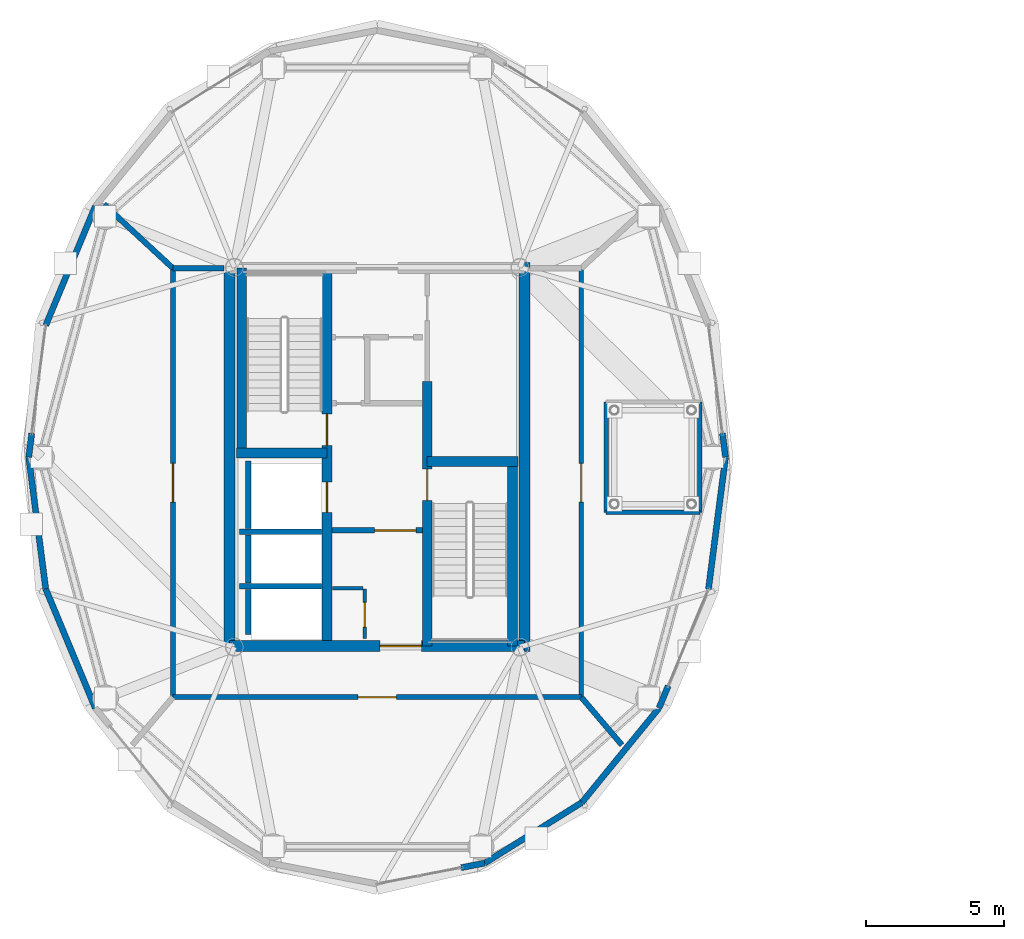
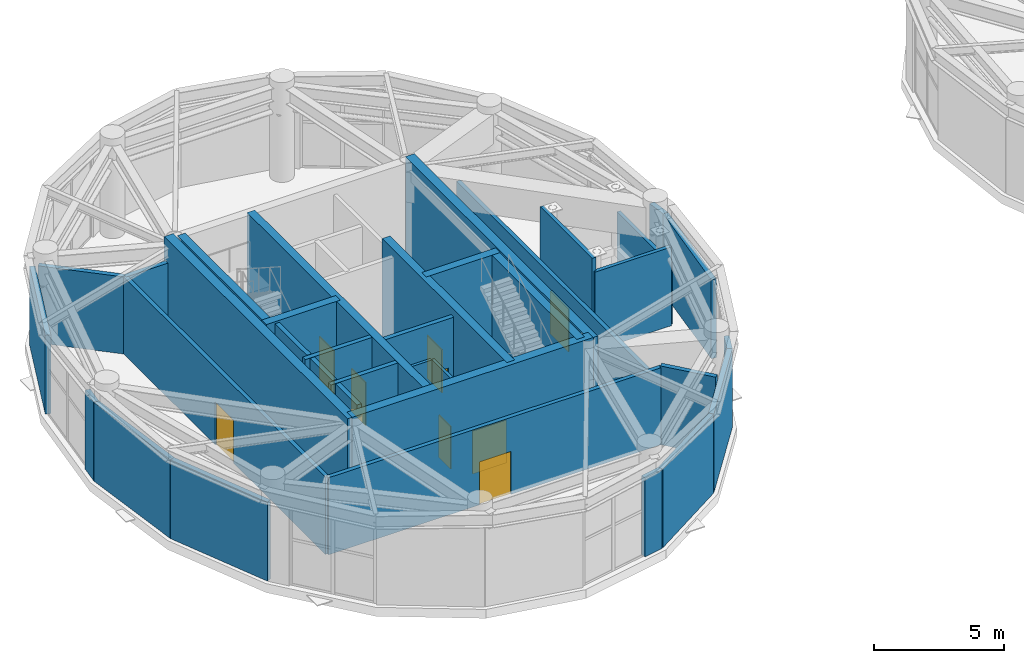
# One storey, part 23 of 28: 36 walls, 9 doors, 9 openings.
"""IFC4 building model written with IfcOpenShell, lengths in metres."""

from ifc_helpers import new_model, si_unit, direction, frame, frame_2d, origin, place, context, subcontext, project, spatial, rectangle, extrude, source, transform, mapped, material, layer, layer_set, type_object, element, fill, save


model = new_model("IFC4")

# Units and contexts
model_context = context("Model", 3, precision=1e-05, world=origin(), true_north=direction((0.0, 1.0)))
body_context = subcontext(model_context, "Body", "Model", "MODEL_VIEW")
ifc_project = project(units=[si_unit("LENGTHUNIT", "METRE"), si_unit("AREAUNIT", "SQUARE_METRE"), si_unit("VOLUMEUNIT", "CUBIC_METRE"), si_unit("PLANEANGLEUNIT", "RADIAN"), si_unit("MASSUNIT", "GRAM", prefix="KILO")], contexts=[model_context])

# Site, building, storey
site_placement = place(None, origin())
site = spatial("IfcSite", under=ifc_project, at=site_placement, CompositionType="ELEMENT")
building_placement = place(site_placement, origin())
building = spatial("IfcBuilding", under=site, at=building_placement, Name="Cununo Teusaquillo Station Towers", CompositionType="ELEMENT")
storey_placement = place(building_placement, frame((0.0, 0.0, 235.64990234375)))
storey = spatial("IfcBuildingStorey", under=building, at=storey_placement, Name="L75", CompositionType="ELEMENT", Elevation=235.64990234375)

# Walls
ifc_material_1 = material(Name="Concrete C50/60", Category="concrete")
ifc_layer_1 = layer(ifc_material_1, 0.199951171875)
ifc_layer_set_1 = layer_set([ifc_layer_1], Name="Concrete C50/60")
wall_type_1 = type_object("IfcWallType", Name="WL-CORE-200", PredefinedType="SHEAR", material=ifc_layer_set_1)
wall_1_placement = place(storey_placement, frame((11.52001953125, 21.800048828125, 0.0), z_axis=(0.0, 0.0, 1.0), x_axis=(1.0, 0.0, 0.0)))
element("IfcWall", 1, at=wall_1_placement, inside=storey, type_object=wall_type_1, Name="L75 Tower A Firefighting Lift Shaft South Shear Wall", PredefinedType="SHEAR", context=body_context, shape_type="SweptSolid", body=[
    extrude(rectangle(XDim=2.969970703125, YDim=0.199951171875, at=frame_2d((1.48486328125, 0.0))), origin(), (0.0, 0.0, 1.0), 4.68017578125),
])
wall_2_placement = place(storey_placement, frame((11.820068359375, 21.919921875, 0.0), z_axis=(0.0, 0.0, 1.0), x_axis=(0.0, 1.0, 0.0)))
element("IfcWall", 2, at=wall_2_placement, inside=storey, type_object=wall_type_1, Name="L75 Tower A Firefighting Lift Shaft Rear Shear Wall", PredefinedType="SHEAR", context=body_context, shape_type="SweptSolid", body=[
    extrude(rectangle(XDim=2.440185546875, YDim=0.199951171875, at=frame_2d((1.22021484375, 0.0))), origin(), (0.0, 0.0, 1.0), 4.68017578125),
])
wall_3_placement = place(storey_placement, frame((11.52001953125, 19.824951171875, 0.0), z_axis=(0.0, 0.0, 1.0), x_axis=(1.0, 0.0, 0.0)))
element("IfcWall", 3, at=wall_3_placement, inside=storey, type_object=wall_type_1, Name="L75 Tower A High-Rise Lift Hoistway Divider Shear Wall", PredefinedType="SHEAR", context=body_context, shape_type="SweptSolid", body=[
    extrude(rectangle(XDim=2.969970703125, YDim=0.199951171875, at=frame_2d((1.48486328125, 0.0))), origin(), (0.0, 0.0, 1.0), 4.68017578125),
])
wall_4_placement = place(storey_placement, frame((11.820068359375, 19.945068359375, 0.0), z_axis=(0.0, 0.0, 1.0), x_axis=(0.0, 1.0, 0.0)))
element("IfcWall", 4, at=wall_4_placement, inside=storey, type_object=wall_type_1, Name="L75 Tower A High-Rise Lift 2 Shaft Rear Shear Wall", PredefinedType="SHEAR", context=body_context, shape_type="SweptSolid", body=[
    extrude(rectangle(XDim=1.73486328125, YDim=0.199951171875, at=frame_2d((0.867431640625, 0.0))), origin(), (0.0, 0.0, 1.0), 4.68017578125),
])
wall_5_placement = place(storey_placement, frame((11.820068359375, 18.070068359375, 0.0), z_axis=(0.0, 0.0, 1.0), x_axis=(0.0, 1.0, 0.0)))
element("IfcWall", 5, at=wall_5_placement, inside=storey, type_object=wall_type_1, Name="L75 Tower A High-Rise Lift 1 Shaft Rear Shear Wall", PredefinedType="SHEAR", context=body_context, shape_type="SweptSolid", body=[
    extrude(rectangle(XDim=1.635009765625, YDim=0.199951171875, at=frame_2d((0.8173828125, 0.0))), origin(), (0.0, 0.0, 1.0), 4.68017578125),
])

# Wall, openings, doors
ifc_material_2 = material(Name="Concrete C50/60", Category="concrete")
ifc_layer_2 = layer(ifc_material_2, 0.35009765625)
ifc_layer_set_2 = layer_set([ifc_layer_2], Name="Concrete C50/60")
wall_type_2 = type_object("IfcWallType", Name="WL-CORE-350", PredefinedType="SHEAR", material=ifc_layer_set_2)
wall_6_placement = place(storey_placement, frame((14.68505859375, 17.64990234375, 0.0), z_axis=(0.0, 0.0, 1.0), x_axis=(0.0, 1.0, 0.0)))
wall_6 = element("IfcWall", 6, at=wall_6_placement, inside=storey, type_object=wall_type_2, Name="L75 Tower A Core Shear Wall IW", PredefinedType="SHEAR", context=body_context, shape_type="SweptSolid", body=[
    extrude(rectangle(XDim=13.7001953125, YDim=0.35009765625, at=frame_2d((6.85009765625, 0.0))), origin(), (0.0, 0.0, 1.0), 4.68017578125),
])
shared_shape_1 = source(origin(), body_context, "Body", "SweptSolid", [
    extrude(rectangle(XDim=1.10009765625, YDim=2.014892578125, at=frame_2d((0.550048828125, 1.00732421875))), frame((0.0, 0.18505859375, 0.0), z_axis=(0.0, -1.0, 0.0), x_axis=(1.0, 0.0, 0.0)), (0.0, 0.0, 1.0), 0.3701171875),
])
opening_1_placement = place(wall_6_placement, frame((4.85009765625, 0.0, 0.0)))
opening_1 = element("IfcOpeningElement", 7, at=opening_1_placement, cuts=wall_6, Name="Opening LD-01", PredefinedType="OPENING", context=body_context, shape_type="MappedRepresentation", body=[
    mapped(shared_shape_1, transform((0.0, 0.0, 0.0), x_axis=(1.0, 0.0, 0.0), y_axis=(0.0, 1.0, 0.0), z_axis=(0.0, 0.0, 1.0), scale=1.0)),
])
shared_shape_2 = source(origin(), body_context, "Body", "SweptSolid", [
    extrude(rectangle(XDim=1.14990234375, YDim=2.02001953125, at=frame_2d((0.574951171875, 1.010009765625))), frame((0.0, 0.18505859375, 0.0), z_axis=(0.0, -1.0, 0.0), x_axis=(1.0, 0.0, 0.0)), (0.0, 0.0, 1.0), 0.3701171875),
])
opening_2_placement = place(wall_6_placement, frame((7.27001953125, 0.0, 0.0)))
opening_2 = element("IfcOpeningElement", 8, at=opening_2_placement, cuts=wall_6, Name="Opening D-ST1", PredefinedType="OPENING", context=body_context, shape_type="MappedRepresentation", body=[
    mapped(shared_shape_2, transform((0.0, 0.0, 0.0), x_axis=(1.0, 0.0, 0.0), y_axis=(0.0, 1.0, 0.0), z_axis=(0.0, 0.0, 1.0), scale=1.0)),
])
ifc_material_3 = material(Name="Galvanised fire-rated hollow steel door assembly", Category="steel")
door_type_1 = type_object("IfcDoorType", Name="DR-LIFT-1100", OperationType="SLIDING_TO_LEFT", PredefinedType="DOOR", material=ifc_material_3)
shared_shape_3 = source(origin(), body_context, "Body", "SweptSolid", [
    extrude(rectangle(XDim=1.10009765625, YDim=2.014892578125, at=frame_2d((0.550048828125, 1.00732421875))), frame((0.0, 0.02490234375, 0.0), z_axis=(0.0, -1.0, 0.0), x_axis=(1.0, 0.0, 0.0)), (0.0, 0.0, 1.0), 0.050048828125),
])
door_1_placement = place(opening_1_placement, origin())
door_1 = element("IfcDoor", 9, at=door_1_placement, inside=storey, type_object=door_type_1, Name="L75 Lift FL-T1 Sliding Landing Door", OperationType="SLIDING_TO_RIGHT", OverallHeight=2.014892578125, OverallWidth=1.10009765625, PredefinedType="DOOR", context=body_context, shape_type="MappedRepresentation", body=[
    mapped(shared_shape_3, transform((0.0, 0.0, 0.0), x_axis=(1.0, 0.0, 0.0), y_axis=(0.0, 1.0, 0.0), z_axis=(0.0, 0.0, 1.0), scale=1.0)),
])
fill(opening_1, door_1)
ifc_material_4 = material(Name="Galvanised fire-rated hollow steel door assembly", Category="steel")
door_type_2 = type_object("IfcDoorType", Name="DR-STAIR-1150", OperationType="NOTDEFINED", PredefinedType="DOOR", material=ifc_material_4)
shared_shape_4 = source(origin(), body_context, "Body", "SweptSolid", [
    extrude(rectangle(XDim=1.14990234375, YDim=2.02001953125, at=frame_2d((0.574951171875, 1.010009765625))), frame((0.0, 0.02490234375, 0.0), z_axis=(0.0, -1.0, 0.0), x_axis=(1.0, 0.0, 0.0)), (0.0, 0.0, 1.0), 0.050048828125),
])
door_2_placement = place(opening_2_placement, origin())
door_2 = element("IfcDoor", 10, at=door_2_placement, inside=storey, type_object=door_type_2, Name="L75 Tower A Exit Stair 1 Fire Door", OperationType="SINGLE_SWING_RIGHT", OverallHeight=2.02001953125, OverallWidth=1.14990234375, PredefinedType="DOOR", context=body_context, shape_type="MappedRepresentation", body=[
    mapped(shared_shape_4, transform((0.0, 0.0, 0.0), x_axis=(1.0, 0.0, 0.0), y_axis=(0.0, 1.0, 0.0), z_axis=(0.0, 0.0, 1.0), scale=1.0)),
])
fill(opening_2, door_2)

# Wall, opening, door
wall_7_placement = place(storey_placement, frame((18.31494140625, 17.64990234375, 0.0), z_axis=(0.0, 0.0, 1.0), x_axis=(0.0, 1.0, 0.0)))
wall_7 = element("IfcWall", 11, at=wall_7_placement, inside=storey, type_object=wall_type_2, Name="L75 Tower A Core Shear Wall IE", PredefinedType="SHEAR", context=body_context, shape_type="SweptSolid", body=[
    extrude(rectangle(XDim=9.60009765625, YDim=0.35009765625, at=frame_2d((4.800048828125, 0.0))), origin(), (0.0, 0.0, 1.0), 4.68017578125),
])
opening_3_placement = place(wall_7_placement, frame((5.280029296875, 0.0, 0.0)))
opening_3 = element("IfcOpeningElement", 12, at=opening_3_placement, cuts=wall_7, Name="Opening D-ST1", PredefinedType="OPENING", context=body_context, shape_type="MappedRepresentation", body=[
    mapped(shared_shape_2, transform((0.0, 0.0, 0.0), x_axis=(1.0, 0.0, 0.0), y_axis=(0.0, 1.0, 0.0), z_axis=(0.0, 0.0, 1.0), scale=1.0)),
])
door_3_placement = place(opening_3_placement, origin())
door_3 = element("IfcDoor", 13, at=door_3_placement, inside=storey, type_object=door_type_2, Name="L75 Tower A Exit Stair 2 Fire Door", OperationType="SINGLE_SWING_LEFT", OverallHeight=2.02001953125, OverallWidth=1.14990234375, PredefinedType="DOOR", context=body_context, shape_type="MappedRepresentation", body=[
    mapped(shared_shape_4, transform((0.0, 0.0, 0.0), x_axis=(1.0, 0.0, 0.0), y_axis=(0.0, 1.0, 0.0), z_axis=(0.0, 0.0, 1.0), scale=1.0)),
])
fill(opening_3, door_3)

# Walls
wall_8_placement = place(storey_placement, frame((11.594970703125, 24.655029296875, 0.0), z_axis=(0.0, 0.0, 1.0), x_axis=(0.0, 1.0, 0.0)))
element("IfcWall", 14, at=wall_8_placement, inside=storey, type_object=wall_type_2, Name="L75 Tower A Core Shear Wall ST1W", PredefinedType="SHEAR", context=body_context, shape_type="SweptSolid", body=[
    extrude(rectangle(XDim=6.695068359375, YDim=0.35009765625, at=frame_2d((3.34765625, 0.0))), origin(), (0.0, 0.0, 1.0), 4.68017578125),
])
wall_9_placement = place(storey_placement, frame((11.39990234375, 24.655029296875, 0.0), z_axis=(0.0, 0.0, 1.0), x_axis=(1.0, 0.0, 0.0)))
element("IfcWall", 15, at=wall_9_placement, inside=storey, type_object=wall_type_2, Name="L75 Tower A Core Shear Wall ST1S", PredefinedType="SHEAR", context=body_context, shape_type="SweptSolid", body=[
    extrude(rectangle(XDim=3.28515625, YDim=0.35009765625, at=frame_2d((1.642578125, 0.0))), origin(), (0.0, 0.0, 1.0), 4.68017578125),
])
wall_10_placement = place(storey_placement, frame((21.405029296875, 17.64990234375, 0.0), z_axis=(0.0, 0.0, 1.0), x_axis=(0.0, 1.0, 0.0)))
element("IfcWall", 16, at=wall_10_placement, inside=storey, type_object=wall_type_2, Name="L75 Tower A Core Shear Wall ST2E", PredefinedType="SHEAR", context=body_context, shape_type="SweptSolid", body=[
    extrude(rectangle(XDim=6.695068359375, YDim=0.35009765625, at=frame_2d((3.34765625, 0.0))), origin(), (0.0, 0.0, 1.0), 4.68017578125),
])
wall_11_placement = place(storey_placement, frame((18.31494140625, 24.344970703125, 0.0), z_axis=(0.0, 0.0, 1.0), x_axis=(1.0, 0.0, 0.0)))
element("IfcWall", 17, at=wall_11_placement, inside=storey, type_object=wall_type_2, Name="L75 Tower A Core Shear Wall ST2N", PredefinedType="SHEAR", context=body_context, shape_type="SweptSolid", body=[
    extrude(rectangle(XDim=3.28515625, YDim=0.35009765625, at=frame_2d((1.642578125, 0.0))), origin(), (0.0, 0.0, 1.0), 4.68017578125),
])
ifc_material_5 = material(Name="Concrete C50/60", Category="concrete")
ifc_layer_3 = layer(ifc_material_5, 0.39990234375)
ifc_layer_set_3 = layer_set([ifc_layer_3], Name="Concrete C50/60")
wall_type_3 = type_object("IfcWallType", Name="WL-CORE-400", PredefinedType="SHEAR", material=ifc_layer_set_3)
for number, where, z_axis, x_axis, name in (
    (18, (11.14990234375, 17.449951171875, 0.0), (0.0, 0.0, 1.0), (0.0, 1.0, 0.0), "L75 Tower A Core Shear Wall W"),
    (19, (21.85009765625, 17.449951171875, 0.0), (0.0, 0.0, 1.0), (0.0, 1.0, 0.0), "L75 Tower A Core Shear Wall E"),
):
    element("IfcWall", number, at=place(storey_placement, frame(where, z_axis=z_axis, x_axis=x_axis)), inside=storey, type_object=wall_type_3, Name=name, PredefinedType="SHEAR", context=body_context, shape_type="SweptSolid", body=[
        extrude(rectangle(XDim=14.10009765625, YDim=0.39990234375, at=frame_2d((7.050048828125, 0.0))), origin(), (0.0, 0.0, 1.0), 4.68017578125),
    ])

# Wall, opening, door
wall_12_placement = place(storey_placement, frame((11.14990234375, 17.64990234375, 0.0), z_axis=(0.0, 0.0, 1.0), x_axis=(1.0, 0.0, 0.0)))
wall_12 = element("IfcWall", 20, at=wall_12_placement, inside=storey, type_object=wall_type_3, Name="L75 Tower A Core Shear Wall S", PredefinedType="SHEAR", context=body_context, shape_type="SweptSolid", body=[
    extrude(rectangle(XDim=10.7001953125, YDim=0.39990234375, at=frame_2d((5.35009765625, 0.0))), origin(), (0.0, 0.0, 1.0), 4.68017578125),
])
shared_shape_5 = source(origin(), body_context, "Body", "SweptSolid", [
    extrude(rectangle(XDim=1.5, YDim=2.02001953125, at=frame_2d((0.75, 1.010009765625))), frame((0.0, 0.2099609375, 0.0), z_axis=(0.0, -1.0, 0.0), x_axis=(1.0, 0.0, 0.0)), (0.0, 0.0, 1.0), 0.419921875),
])
opening_4_placement = place(wall_12_placement, frame((5.449951171875, 0.0, 0.0)))
opening_4 = element("IfcOpeningElement", 21, at=opening_4_placement, cuts=wall_12, Name="Opening D-LB1", PredefinedType="OPENING", context=body_context, shape_type="MappedRepresentation", body=[
    mapped(shared_shape_5, transform((0.0, 0.0, 0.0), x_axis=(1.0, 0.0, 0.0), y_axis=(0.0, 1.0, 0.0), z_axis=(0.0, 0.0, 1.0), scale=1.0)),
])
ifc_material_6 = material(Name="Galvanised fire-rated hollow steel door assembly", Category="steel")
door_type_3 = type_object("IfcDoorType", Name="DR-LOBBY-1500", OperationType="DOUBLE_DOOR_SINGLE_SWING", PredefinedType="DOOR", material=ifc_material_6)
shared_shape_6 = source(origin(), body_context, "Body", "SweptSolid", [
    extrude(rectangle(XDim=1.5, YDim=2.02001953125, at=frame_2d((0.75, 1.010009765625))), frame((0.0, 0.02490234375, 0.0), z_axis=(0.0, -1.0, 0.0), x_axis=(1.0, 0.0, 0.0)), (0.0, 0.0, 1.0), 0.050048828125),
])
door_4_placement = place(opening_4_placement, origin())
door_4 = element("IfcDoor", 22, at=door_4_placement, inside=storey, type_object=door_type_3, Name="L75 Tower A South Core Lift Lobby Door", OperationType="DOUBLE_DOOR_SINGLE_SWING", OverallHeight=2.02001953125, OverallWidth=1.5, PredefinedType="DOOR", context=body_context, shape_type="MappedRepresentation", body=[
    mapped(shared_shape_6, transform((0.0, 0.0, 0.0), x_axis=(1.0, 0.0, 0.0), y_axis=(0.0, 1.0, 0.0), z_axis=(0.0, 0.0, 1.0), scale=1.0)),
])
fill(opening_4, door_4)

# Walls
ifc_material_7 = material(Name="Precast concrete C40/50", Category="concrete")
ifc_layer_4 = layer(ifc_material_7, 0.219970703125)
ifc_layer_set_4 = layer_set([ifc_layer_4], Name="Precast concrete C40/50")
wall_type_4 = type_object("IfcWallType", Name="WL-EXT-220", PredefinedType="SOLIDWALL", material=ifc_layer_set_4)
wall_13_placement = place(storey_placement, frame((29.018310546875, 25.36279296875, 0.0), z_axis=(0.0, 0.0, 1.0), x_axis=(0.128247365719, -0.991742211054, 0.0)))
element("IfcWall", 23, at=wall_13_placement, inside=storey, type_object=wall_type_4, Name="L75 Tower A Crown Drum Pier Cassette C00-PB", PredefinedType="SOLIDWALL", context=body_context, shape_type="SweptSolid", body=[
    extrude(rectangle(XDim=0.869873046875, YDim=0.219970703125, at=frame_2d((0.43505859375, 0.0))), origin(), (0.0, 0.0, 1.0), 3.696044921875),
])
wall_14_placement = place(storey_placement, frame((4.48828125, 29.280517578125, 0.0), z_axis=(0.0, 0.0, 1.0), x_axis=(0.384036305194, 0.923317993052, 0.0)))
element("IfcWall", 24, at=wall_14_placement, inside=storey, type_object=wall_type_4, Name="L75 Tower A Crown Drum Spandrel Cassette C08", PredefinedType="SOLIDWALL", context=body_context, shape_type="SweptSolid", body=[
    extrude(rectangle(XDim=4.670654296875, YDim=0.219970703125, at=frame_2d((2.33544921875, 0.0))), origin(), (0.0, 0.0, 1.0), 3.696044921875),
])
wall_15_placement = place(storey_placement, frame((3.8701171875, 24.5, 0.0), z_axis=(0.0, 0.0, 1.0), x_axis=(0.128247365719, 0.991742211054, 0.0)))
element("IfcWall", 25, at=wall_15_placement, inside=storey, type_object=wall_type_4, Name="L75 Tower A Crown Drum Pier Cassette C09-PA", PredefinedType="SOLIDWALL", context=body_context, shape_type="SweptSolid", body=[
    extrude(rectangle(XDim=0.869873046875, YDim=0.219970703125, at=frame_2d((0.43505859375, 0.0))), origin(), (0.0, 0.0, 1.0), 3.696044921875),
])
wall_16_placement = place(storey_placement, frame((4.48828125, 19.719482421875, 0.0), z_axis=(0.0, 0.0, 1.0), x_axis=(-0.128241318541, 0.991742993027, 0.0)))
element("IfcWall", 26, at=wall_16_placement, inside=storey, type_object=wall_type_4, Name="L75 Tower A Crown Drum Spandrel Cassette C10", PredefinedType="SOLIDWALL", context=body_context, shape_type="SweptSolid", body=[
    extrude(rectangle(XDim=4.8203125, YDim=0.219970703125, at=frame_2d((2.41015625, 0.0))), origin(), (0.0, 0.0, 1.0), 3.696044921875),
])
wall_17_placement = place(storey_placement, frame((6.281982421875, 15.406982421875, 0.0), z_axis=(0.0, 0.0, 1.0), x_axis=(-0.384036305194, 0.923317993052, 0.0)))
element("IfcWall", 27, at=wall_17_placement, inside=storey, type_object=wall_type_4, Name="L75 Tower A Crown Drum Spandrel Cassette C11", PredefinedType="SOLIDWALL", context=body_context, shape_type="SweptSolid", body=[
    extrude(rectangle(XDim=4.670654296875, YDim=0.219970703125, at=frame_2d((2.33544921875, 0.0))), origin(), (0.0, 0.0, 1.0), 3.696044921875),
])
wall_18_placement = place(storey_placement, frame((20.40283203125, 9.787109375, 0.0), z_axis=(0.0, 0.0, 1.0), x_axis=(-0.981729145882, -0.190283693799, 0.0)))
element("IfcWall", 28, at=wall_18_placement, inside=storey, type_object=wall_type_4, Name="L75 Tower A Crown Drum Pier Cassette C15-PA", PredefinedType="SOLIDWALL", context=body_context, shape_type="SweptSolid", body=[
    extrude(rectangle(XDim=0.869873046875, YDim=0.219970703125, at=frame_2d((0.43505859375, 0.0))), origin(), (0.0, 0.0, 1.0), 3.696044921875),
])
wall_19_placement = place(storey_placement, frame((23.923583984375, 11.984619140625, 0.0), z_axis=(0.0, 0.0, 1.0), x_axis=(-0.848318713376, -0.529485939886, 0.0)))
element("IfcWall", 29, at=wall_19_placement, inside=storey, type_object=wall_type_4, Name="L75 Tower A Crown Drum Spandrel Cassette C16", PredefinedType="SOLIDWALL", context=body_context, shape_type="SweptSolid", body=[
    extrude(rectangle(XDim=4.150390625, YDim=0.219970703125, at=frame_2d((2.0751953125, 0.0))), origin(), (0.0, 0.0, 1.0), 3.696044921875),
])
wall_20_placement = place(storey_placement, frame((26.718017578125, 15.406982421875, 0.0), z_axis=(0.0, 0.0, 1.0), x_axis=(-0.632467166636, -0.774587169483, 0.0)))
element("IfcWall", 30, at=wall_20_placement, inside=storey, type_object=wall_type_4, Name="L75 Tower A Crown Drum Spandrel Cassette C17", PredefinedType="SOLIDWALL", context=body_context, shape_type="SweptSolid", body=[
    extrude(rectangle(XDim=4.418212890625, YDim=0.219970703125, at=frame_2d((2.208984375, 0.0))), origin(), (0.0, 0.0, 1.0), 3.696044921875),
])
wall_21_placement = place(storey_placement, frame((27.052001953125, 16.210205078125, 0.0), z_axis=(0.0, 0.0, 1.0), x_axis=(-0.383937720403, -0.92335899132, 0.0)))
element("IfcWall", 31, at=wall_21_placement, inside=storey, type_object=wall_type_4, Name="L75 Tower A Crown Drum Pier Cassette C18-PB", PredefinedType="SOLIDWALL", context=body_context, shape_type="SweptSolid", body=[
    extrude(rectangle(XDim=0.869873046875, YDim=0.219970703125, at=frame_2d((0.43505859375, 0.0))), origin(), (0.0, 0.0, 1.0), 3.696044921875),
])
wall_22_placement = place(storey_placement, frame((29.1298828125, 24.5, 0.0), z_axis=(0.0, 0.0, 1.0), x_axis=(-0.128241318541, -0.991742993027, 0.0)))
element("IfcWall", 32, at=wall_22_placement, inside=storey, type_object=wall_type_4, Name="L75 Tower A Crown Drum Spandrel Cassette C19", PredefinedType="SOLIDWALL", context=body_context, shape_type="SweptSolid", body=[
    extrude(rectangle(XDim=4.8203125, YDim=0.219970703125, at=frame_2d((2.41015625, 0.0))), origin(), (0.0, 0.0, 1.0), 3.696044921875),
])

# Wall, opening, door
ifc_material_8 = material(Name="Fire-rated gypsum plasterboard partition assembly", Category="gypsum")
ifc_layer_5 = layer(ifc_material_8, 0.125)
ifc_layer_set_5 = layer_set([ifc_layer_5], Name="Fire-rated gypsum plasterboard partition assembly")
wall_type_5 = type_object("IfcWallType", Name="WL-PART-125", PredefinedType="PARTITIONING", material=ifc_layer_set_5)
wall_23_placement = place(storey_placement, frame((16.050048828125, 17.919921875, 0.0), z_axis=(0.0, 0.0, 1.0), x_axis=(0.0, 1.0, 0.0)))
wall_23 = element("IfcWall", 33, at=wall_23_placement, inside=storey, type_object=wall_type_5, Name="L75 Tower A South-West Compact Store East Wall", PredefinedType="PARTITIONING", context=body_context, shape_type="SweptSolid", body=[
    extrude(rectangle(XDim=1.800048828125, YDim=0.125, at=frame_2d((0.89990234375, 0.0))), origin(), (0.0, 0.0, 1.0), 4.3251953125),
])
shared_shape_7 = source(origin(), body_context, "Body", "SweptSolid", [
    extrude(rectangle(XDim=0.89990234375, YDim=2.0048828125, at=frame_2d((0.449951171875, 1.00244140625))), frame((0.0, 0.072509765625, 0.0), z_axis=(0.0, -1.0, 0.0), x_axis=(1.0, 0.0, 0.0)), (0.0, 0.0, 1.0), 0.14501953125),
])
opening_5_placement = place(wall_23_placement, frame((0.419921875, 0.0, 0.0)))
opening_5 = element("IfcOpeningElement", 34, at=opening_5_placement, cuts=wall_23, Name="Opening D-SR1", PredefinedType="OPENING", context=body_context, shape_type="MappedRepresentation", body=[
    mapped(shared_shape_7, transform((0.0, 0.0, 0.0), x_axis=(1.0, 0.0, 0.0), y_axis=(0.0, 1.0, 0.0), z_axis=(0.0, 0.0, 1.0), scale=1.0)),
])
ifc_material_9 = material(Name="Galvanised fire-rated hollow steel door assembly", Category="steel")
door_type_4 = type_object("IfcDoorType", Name="DR-STORE-900", OperationType="NOTDEFINED", PredefinedType="DOOR", material=ifc_material_9)
shared_shape_8 = source(origin(), body_context, "Body", "SweptSolid", [
    extrude(rectangle(XDim=0.89990234375, YDim=2.0048828125, at=frame_2d((0.449951171875, 1.00244140625))), frame((0.0, 0.02490234375, 0.0), z_axis=(0.0, -1.0, 0.0), x_axis=(1.0, 0.0, 0.0)), (0.0, 0.0, 1.0), 0.050048828125),
])
door_5_placement = place(opening_5_placement, origin())
door_5 = element("IfcDoor", 35, at=door_5_placement, inside=storey, type_object=door_type_4, Name="L75 Tower A Core Electrical & Comms Store Door", OperationType="SINGLE_SWING_RIGHT", OverallHeight=2.0048828125, OverallWidth=0.89990234375, PredefinedType="DOOR", context=body_context, shape_type="MappedRepresentation", body=[
    mapped(shared_shape_8, transform((0.0, 0.0, 0.0), x_axis=(1.0, 0.0, 0.0), y_axis=(0.0, 1.0, 0.0), z_axis=(0.0, 0.0, 1.0), scale=1.0)),
])
fill(opening_5, door_5)

# Walls
wall_24_placement = place(storey_placement, frame((14.8798828125, 19.75, 0.0), z_axis=(0.0, 0.0, 1.0), x_axis=(1.0, 0.0, 0.0)))
element("IfcWall", 36, at=wall_24_placement, inside=storey, type_object=wall_type_5, Name="L75 Tower A South-West Compact Store North Wall", PredefinedType="PARTITIONING", context=body_context, shape_type="SweptSolid", body=[
    extrude(rectangle(XDim=1.10009765625, YDim=0.125, at=frame_2d((0.550048828125, 0.0))), origin(), (0.0, 0.0, 1.0), 4.3251953125),
])
ifc_material_10 = material(Name="Fire-rated gypsum plasterboard partition assembly", Category="gypsum")
ifc_layer_6 = layer(ifc_material_10, 0.159912109375)
ifc_layer_set_6 = layer_set([ifc_layer_6], Name="Fire-rated gypsum plasterboard partition assembly")
wall_type_6 = type_object("IfcWallType", Name="WL-PART-160", PredefinedType="PARTITIONING", material=ifc_layer_set_6)
wall_25_placement = place(storey_placement, frame((24.800048828125, 22.5, 0.0), z_axis=(0.0, 0.0, 1.0), x_axis=(0.0, 1.0, 0.0)))
element("IfcWall", 37, at=wall_25_placement, inside=storey, type_object=wall_type_6, Name="L75 Tower A Damper Frame Guard Wall W", PredefinedType="PARTITIONING", context=body_context, shape_type="SweptSolid", body=[
    extrude(rectangle(XDim=4.0, YDim=0.159912109375, at=frame_2d((2.0, 0.0))), origin(), (0.0, 0.0, 1.0), 4.3251953125),
])
wall_26_placement = place(storey_placement, frame((24.800048828125, 22.5, 0.0), z_axis=(0.0, 0.0, 1.0), x_axis=(1.0, 0.0, 0.0)))
element("IfcWall", 38, at=wall_26_placement, inside=storey, type_object=wall_type_6, Name="L75 Tower A Damper Frame Guard Wall S", PredefinedType="PARTITIONING", context=body_context, shape_type="SweptSolid", body=[
    extrude(rectangle(XDim=3.39990234375, YDim=0.159912109375, at=frame_2d((1.699951171875, 0.0))), origin(), (0.0, 0.0, 1.0), 3.696044921875),
])
wall_27_placement = place(storey_placement, frame((28.199951171875, 22.5, 0.0), z_axis=(0.0, 0.0, 1.0), x_axis=(0.0, 1.0, 0.0)))
element("IfcWall", 39, at=wall_27_placement, inside=storey, type_object=wall_type_6, Name="L75 Tower A Damper Frame Guard Wall E", PredefinedType="PARTITIONING", context=body_context, shape_type="SweptSolid", body=[
    extrude(rectangle(XDim=4.0, YDim=0.159912109375, at=frame_2d((2.0, 0.0))), origin(), (0.0, 0.0, 1.0), 2.89208984375),
])

# Wall, opening, door
ifc_material_11 = material(Name="Fire-rated gypsum plasterboard partition assembly", Category="gypsum")
ifc_layer_7 = layer(ifc_material_11, 0.179931640625)
ifc_layer_set_7 = layer_set([ifc_layer_7], Name="Fire-rated gypsum plasterboard partition assembly")
wall_type_7 = type_object("IfcWallType", Name="WL-PART-180", PredefinedType="PARTITIONING", material=ifc_layer_set_7)
wall_28_placement = place(storey_placement, frame((9.10009765625, 15.800048828125, 0.0), z_axis=(0.0, 0.0, 1.0), x_axis=(1.0, 0.0, 0.0)))
wall_28 = element("IfcWall", 40, at=wall_28_placement, inside=storey, type_object=wall_type_7, Name="L75 Tower A Crown Corridor Wall S", PredefinedType="PARTITIONING", context=body_context, shape_type="SweptSolid", body=[
    extrude(rectangle(XDim=14.7998046875, YDim=0.179931640625, at=frame_2d((7.39990234375, 0.0))), origin(), (0.0, 0.0, 1.0), 3.6162109375),
])
shared_shape_9 = source(origin(), body_context, "Body", "SweptSolid", [
    extrude(rectangle(XDim=1.39990234375, YDim=2.02001953125, at=frame_2d((0.699951171875, 1.010009765625))), frame((0.0, 0.099853515625, 0.0), z_axis=(0.0, -1.0, 0.0), x_axis=(1.0, 0.0, 0.0)), (0.0, 0.0, 1.0), 0.199951171875),
])
opening_6_placement = place(wall_28_placement, frame((6.699951171875, 0.0, 0.0)))
opening_6 = element("IfcOpeningElement", 41, at=opening_6_placement, cuts=wall_28, Name="Opening D-PL1", PredefinedType="OPENING", context=body_context, shape_type="MappedRepresentation", body=[
    mapped(shared_shape_9, transform((0.0, 0.0, 0.0), x_axis=(1.0, 0.0, 0.0), y_axis=(0.0, 1.0, 0.0), z_axis=(0.0, 0.0, 1.0), scale=1.0)),
])
ifc_material_12 = material(Name="Galvanised fire-rated hollow steel door assembly", Category="steel")
door_type_5 = type_object("IfcDoorType", Name="DR-PLANT-1400", OperationType="NOTDEFINED", PredefinedType="DOOR", material=ifc_material_12)
shared_shape_10 = source(origin(), body_context, "Body", "SweptSolid", [
    extrude(rectangle(XDim=1.39990234375, YDim=2.02001953125, at=frame_2d((0.699951171875, 1.010009765625))), frame((0.0, 0.02490234375, 0.0), z_axis=(0.0, -1.0, 0.0), x_axis=(1.0, 0.0, 0.0)), (0.0, 0.0, 1.0), 0.050048828125),
])
door_6_placement = place(opening_6_placement, origin())
door_6 = element("IfcDoor", 42, at=door_6_placement, inside=storey, type_object=door_type_5, Name="L75 Tower A Crown Room S Double Door", OperationType="SINGLE_SWING_LEFT", OverallHeight=2.02001953125, OverallWidth=1.39990234375, PredefinedType="DOOR", context=body_context, shape_type="MappedRepresentation", body=[
    mapped(shared_shape_10, transform((0.0, 0.0, 0.0), x_axis=(1.0, 0.0, 0.0), y_axis=(0.0, 1.0, 0.0), z_axis=(0.0, 0.0, 1.0), scale=1.0)),
])
fill(opening_6, door_6)

wall_29_placement = place(storey_placement, frame((9.10009765625, 15.800048828125, 0.0), z_axis=(0.0, 0.0, 1.0), x_axis=(0.0, 1.0, 0.0)))
wall_29 = element("IfcWall", 43, at=wall_29_placement, inside=storey, type_object=wall_type_7, Name="L75 Tower A Crown Corridor Wall W", PredefinedType="PARTITIONING", context=body_context, shape_type="SweptSolid", body=[
    extrude(rectangle(XDim=15.550048828125, YDim=0.179931640625, at=frame_2d((7.77490234375, 0.0))), origin(), (0.0, 0.0, 1.0), 3.6162109375),
])
opening_7_placement = place(wall_29_placement, frame((7.074951171875, 0.0, 0.0)))
opening_7 = element("IfcOpeningElement", 44, at=opening_7_placement, cuts=wall_29, Name="Opening D-PL1", PredefinedType="OPENING", context=body_context, shape_type="MappedRepresentation", body=[
    mapped(shared_shape_9, transform((0.0, 0.0, 0.0), x_axis=(1.0, 0.0, 0.0), y_axis=(0.0, 1.0, 0.0), z_axis=(0.0, 0.0, 1.0), scale=1.0)),
])
door_7_placement = place(opening_7_placement, origin())
door_7 = element("IfcDoor", 45, at=door_7_placement, inside=storey, type_object=door_type_5, Name="L75 Tower A Crown Room W Double Door", OperationType="SINGLE_SWING_RIGHT", OverallHeight=2.02001953125, OverallWidth=1.39990234375, PredefinedType="DOOR", context=body_context, shape_type="MappedRepresentation", body=[
    mapped(shared_shape_10, transform((0.0, 0.0, 0.0), x_axis=(1.0, 0.0, 0.0), y_axis=(0.0, 1.0, 0.0), z_axis=(0.0, 0.0, 1.0), scale=1.0)),
])
fill(opening_7, door_7)

wall_30_placement = place(storey_placement, frame((23.89990234375, 15.800048828125, 0.0), z_axis=(0.0, 0.0, 1.0), x_axis=(0.0, 1.0, 0.0)))
wall_30 = element("IfcWall", 46, at=wall_30_placement, inside=storey, type_object=wall_type_7, Name="L75 Tower A Crown Corridor Wall E", PredefinedType="PARTITIONING", context=body_context, shape_type="SweptSolid", body=[
    extrude(rectangle(XDim=15.550048828125, YDim=0.179931640625, at=frame_2d((7.77490234375, 0.0))), origin(), (0.0, 0.0, 1.0), 2.89208984375),
])
opening_8_placement = place(wall_30_placement, frame((7.074951171875, 0.0, 0.0)))
opening_8 = element("IfcOpeningElement", 47, at=opening_8_placement, cuts=wall_30, Name="Opening D-PL1", PredefinedType="OPENING", context=body_context, shape_type="MappedRepresentation", body=[
    mapped(shared_shape_9, transform((0.0, 0.0, 0.0), x_axis=(1.0, 0.0, 0.0), y_axis=(0.0, 1.0, 0.0), z_axis=(0.0, 0.0, 1.0), scale=1.0)),
])
door_8_placement = place(opening_8_placement, origin())
door_8 = element("IfcDoor", 48, at=door_8_placement, inside=storey, type_object=door_type_5, Name="L75 Tower A Crown Room E Double Door", OperationType="SINGLE_SWING_LEFT", OverallHeight=2.02001953125, OverallWidth=1.39990234375, PredefinedType="DOOR", context=body_context, shape_type="MappedRepresentation", body=[
    mapped(shared_shape_10, transform((0.0, 0.0, 0.0), x_axis=(1.0, 0.0, 0.0), y_axis=(0.0, 1.0, 0.0), z_axis=(0.0, 0.0, 1.0), scale=1.0)),
])
fill(opening_8, door_8)

ifc_material_13 = material(Name="Fire-rated gypsum plasterboard partition assembly", Category="gypsum")
ifc_layer_8 = layer(ifc_material_13, 0.199951171875)
ifc_layer_set_8 = layer_set([ifc_layer_8], Name="Fire-rated gypsum plasterboard partition assembly")
wall_type_8 = type_object("IfcWallType", Name="WL-PART-200", PredefinedType="PARTITIONING", material=ifc_layer_set_8)
wall_31_placement = place(storey_placement, frame((14.860107421875, 21.85009765625, 0.0), z_axis=(0.0, 0.0, 1.0), x_axis=(1.0, 0.0, 0.0)))
wall_31 = element("IfcWall", 49, at=wall_31_placement, inside=storey, type_object=wall_type_8, Name="L75 Tower A Firefighting Lift Lobby South Fire Wall", PredefinedType="PARTITIONING", context=body_context, shape_type="SweptSolid", body=[
    extrude(rectangle(XDim=3.27978515625, YDim=0.199951171875, at=frame_2d((1.639892578125, 0.0))), origin(), (0.0, 0.0, 1.0), 4.3251953125),
])
shared_shape_11 = source(origin(), body_context, "Body", "SweptSolid", [
    extrude(rectangle(XDim=1.5, YDim=2.02001953125, at=frame_2d((0.75, 1.010009765625))), frame((0.0, 0.10986328125, 0.0), z_axis=(0.0, -1.0, 0.0), x_axis=(1.0, 0.0, 0.0)), (0.0, 0.0, 1.0), 0.219970703125),
])
opening_9_placement = place(wall_31_placement, frame((1.550048828125, 0.0, 0.0)))
opening_9 = element("IfcOpeningElement", 50, at=opening_9_placement, cuts=wall_31, Name="Opening D-LB1", PredefinedType="OPENING", context=body_context, shape_type="MappedRepresentation", body=[
    mapped(shared_shape_11, transform((0.0, 0.0, 0.0), x_axis=(1.0, 0.0, 0.0), y_axis=(0.0, 1.0, 0.0), z_axis=(0.0, 0.0, 1.0), scale=1.0)),
])
door_9_placement = place(opening_9_placement, origin())
door_9 = element("IfcDoor", 51, at=door_9_placement, inside=storey, type_object=door_type_3, Name="L75 Tower A Firefighting Lift Lobby South Fire Door", OperationType="DOUBLE_DOOR_SINGLE_SWING", OverallHeight=2.02001953125, OverallWidth=1.5, PredefinedType="DOOR", context=body_context, shape_type="MappedRepresentation", body=[
    mapped(shared_shape_6, transform((0.0, 0.0, 0.0), x_axis=(1.0, 0.0, 0.0), y_axis=(0.0, 1.0, 0.0), z_axis=(0.0, 0.0, 1.0), scale=1.0)),
])
fill(opening_9, door_9)

# Walls
wall_32_placement = place(storey_placement, frame((9.10009765625, 31.35009765625, 0.0), z_axis=(0.0, 0.0, 1.0), x_axis=(1.0, 0.0, 0.0)))
element("IfcWall", 52, at=wall_32_placement, inside=storey, type_object=wall_type_8, Name="L75 Tower A Crown North Hall Wall NW", PredefinedType="PARTITIONING", context=body_context, shape_type="SweptSolid", body=[
    extrude(rectangle(XDim=1.849853515625, YDim=0.199951171875, at=frame_2d((0.9248046875, 0.0))), origin(), (0.0, 0.0, 1.0), 3.6162109375),
])
wall_33_placement = place(storey_placement, frame((9.10009765625, 31.35009765625, 0.0), z_axis=(0.0, 0.0, 1.0), x_axis=(-0.733869107154, 0.679290904963, 0.0)))
element("IfcWall", 53, at=wall_33_placement, inside=storey, type_object=wall_type_8, Name="L75 Tower A Crown Radial Wall Q1", PredefinedType="PARTITIONING", context=body_context, shape_type="SweptSolid", body=[
    extrude(rectangle(XDim=3.40869140625, YDim=0.199951171875, at=frame_2d((1.704345703125, 0.0))), origin(), (0.0, 0.0, 1.0), 3.6162109375),
])
wall_34_placement = place(storey_placement, frame((23.89990234375, 15.800048828125, 0.0), z_axis=(0.0, 0.0, 1.0), x_axis=(0.647910417059, -0.761716542729, 0.0)))
element("IfcWall", 54, at=wall_34_placement, inside=storey, type_object=wall_type_8, Name="L75 Tower A Crown Radial Wall Q3", PredefinedType="PARTITIONING", context=body_context, shape_type="SweptSolid", body=[
    extrude(rectangle(XDim=2.271728515625, YDim=0.199951171875, at=frame_2d((1.1357421875, 0.0))), origin(), (0.0, 0.0, 1.0), 3.696044921875),
])

save(model, "model.ifc")
